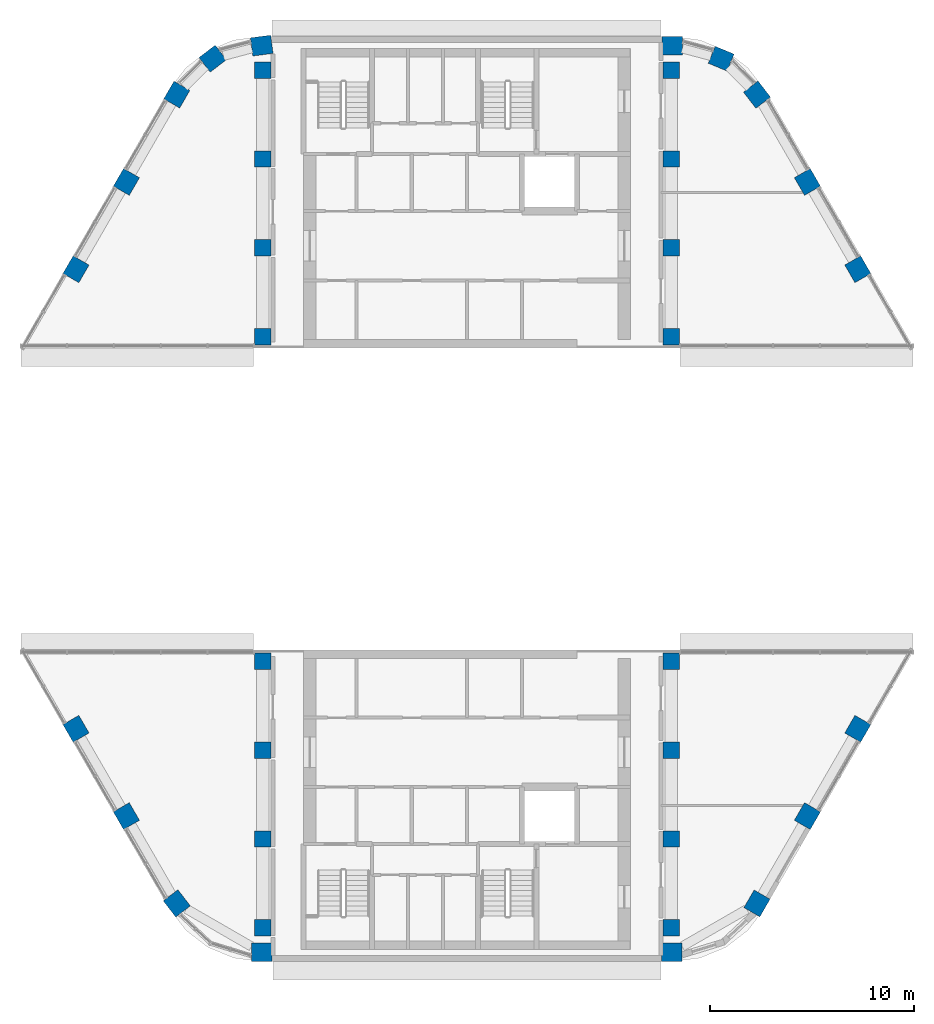
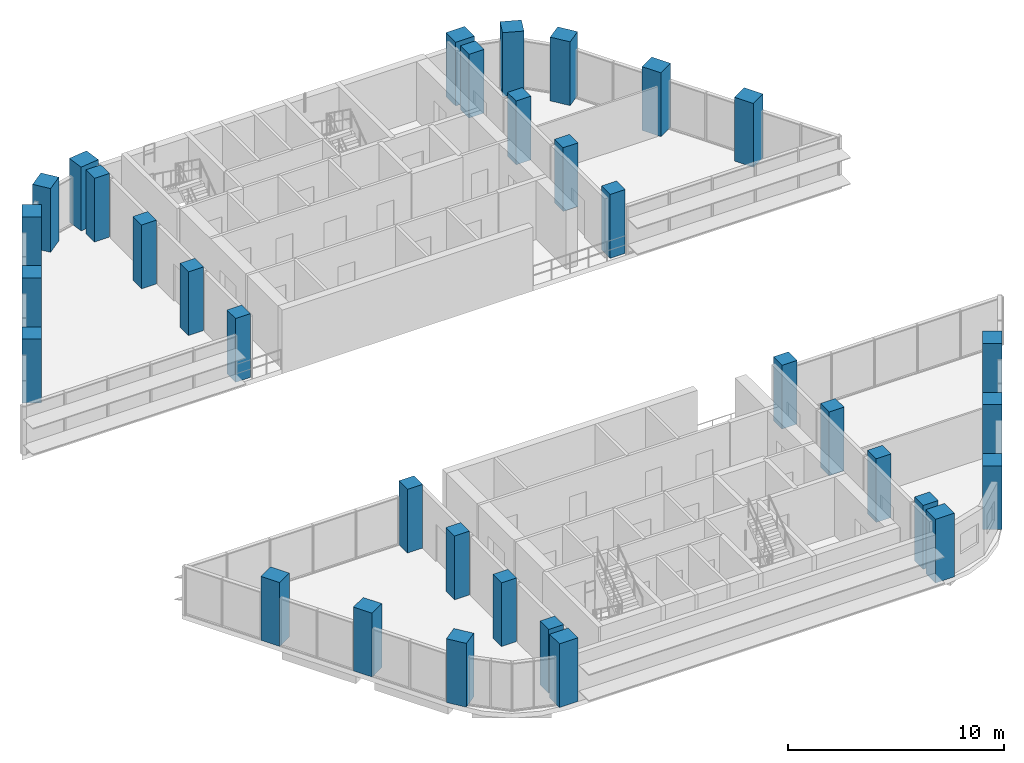
# One storey, part 1 of 14: 34 columns.
"""IFC4 building model written with IfcOpenShell, lengths in metres."""

from ifc_helpers import new_model, si_unit, direction, frame, origin, origin_2d, place, context, subcontext, project, spatial, rectangle, extrude, material, material_profile, profile_set, type_object, element, save


model = new_model("IFC4")

# Units and contexts
model_context = context("Model", 3, precision=1e-05, world=origin(), true_north=direction((0.0, 1.0)))
body_context = subcontext(model_context, "Body", "Model", "MODEL_VIEW")
ifc_project = project(units=[si_unit("LENGTHUNIT", "METRE"), si_unit("AREAUNIT", "SQUARE_METRE"), si_unit("VOLUMEUNIT", "CUBIC_METRE"), si_unit("PLANEANGLEUNIT", "RADIAN"), si_unit("MASSUNIT", "GRAM", prefix="KILO")], contexts=[model_context])

# Site, building, storey
site_placement = place(None, origin())
site = spatial("IfcSite", under=ifc_project, at=site_placement, CompositionType="ELEMENT")
building_placement = place(site_placement, origin())
building = spatial("IfcBuilding", under=site, at=building_placement, Name="Nakaniwa Court", CompositionType="ELEMENT")
storey_placement = place(building_placement, frame((0.0, 0.0, 279.60009765625)))
storey = spatial("IfcBuildingStorey", under=building, at=storey_placement, Name="C03", CompositionType="ELEMENT", Elevation=279.60009765625)

# Columns
ifc_material = material(Name="Concrete C80/100", Category="concrete")
ifc_material_profile_1 = material_profile(ifc_material, rectangle(XDim=1.0, YDim=0.89990234375, at=origin_2d()), Name="Concrete C80/100 RC 1000x900 perimeter column")
ifc_profile_set_1 = profile_set([ifc_material_profile_1], Name="Concrete C80/100")
column_type_1 = type_object("IfcColumnType", Name="Concrete C80/100 RC 1000x900 perimeter column", PredefinedType="COLUMN", material=ifc_profile_set_1)
for number, where, z_axis, x_axis, name in (
    (1, (69.95458984375, 102.199951171875, 0.0), (0.0, 0.0, 1.0), (-0.991442583111, -0.130543496177, 0.0), "COLUMN CO-01"),
    (2, (67.552001953125, 101.560302734375, 0.0), (0.0, 0.0, 1.0), (-0.793363965062, -0.608747582288, 0.0), "COLUMN CO-02"),
    (3, (65.796875, 99.799560546875, 0.0), (0.0, 0.0, 1.0), (-0.5, -0.866025403784, 0.0), "COLUMN CO-03"),
    (4, (63.328857421875, 95.524658203125, 0.0), (0.0, 0.0, 1.0), (-0.5, -0.866025403784, 0.0), "COLUMN CO-04"),
    (5, (60.860595703125, 91.249755859375, 0.0), (0.0, 0.0, 1.0), (-0.5, -0.866025403784, 0.0), "COLUMN CO-05"),
    (6, (60.860595703125, 68.750244140625, 0.0), (0.0, 0.0, 1.0), (0.5, -0.866025403784, 0.0), "COLUMN CO-14"),
    (7, (63.328857421875, 64.475341796875, 0.0), (0.0, 0.0, 1.0), (0.5, -0.866025403784, 0.0), "COLUMN CO-15"),
    (8, (65.796875, 60.200439453125, 0.0), (0.0, 0.0, 1.0), (0.608761429009, -0.793353340291, 0.0), "COLUMN CO-16"),
    (9, (69.95458984375, 57.800048828125, 0.0), (0.0, 0.0, 1.0), (1.0, 0.0, 0.0), "COLUMN CO-17"),
    (10, (90.03955078125, 57.800048828125, 0.0), (0.0, 0.0, 1.0), (1.0, 0.0, 0.0), "COLUMN CO-21"),
    (11, (94.203125, 60.200439453125, 0.0), (0.0, 0.0, 1.0), (0.5, 0.866025403784, 0.0), "COLUMN CO-22"),
    (12, (96.671142578125, 64.475341796875, 0.0), (0.0, 0.0, 1.0), (0.5, 0.866025403784, 0.0), "COLUMN CO-23"),
    (13, (99.139404296875, 68.750244140625, 0.0), (0.0, 0.0, 1.0), (0.5, 0.866025403784, 0.0), "COLUMN CO-24"),
    (14, (99.139404296875, 91.249755859375, 0.0), (0.0, 0.0, 1.0), (-0.5, 0.866025403784, 0.0), "COLUMN CO-33"),
    (15, (96.671142578125, 95.524658203125, 0.0), (0.0, 0.0, 1.0), (-0.5, 0.866025403784, 0.0), "COLUMN CO-34"),
    (16, (94.203125, 99.799560546875, 0.0), (0.0, 0.0, 1.0), (-0.608761429009, 0.793353340291, 0.0), "COLUMN CO-35"),
    (17, (92.447998046875, 101.560302734375, 0.0), (0.0, 0.0, 1.0), (-0.923879532511, 0.382683432365, 0.0), "COLUMN CO-36"),
    (18, (90.04541015625, 102.199951171875, 0.0), (0.0, 0.0, 1.0), (-1.0, 0.0, 0.0), "COLUMN CO-37"),
):
    element("IfcColumn", number, at=place(storey_placement, frame(where, z_axis=z_axis, x_axis=x_axis)), inside=storey, type_object=column_type_1, Name=name, PredefinedType="COLUMN", context=body_context, shape_type="SweptSolid", body=[
        extrude(rectangle(XDim=1.0, YDim=0.89990234375, at=origin_2d()), origin(), (0.0, 0.0, 1.0), 3.599853515625),
    ])
ifc_material_profile_2 = material_profile(ifc_material, rectangle(XDim=0.800048828125, YDim=0.800048828125, at=origin_2d()), Name="Concrete C80/100 RC 800x800 spine column")
ifc_profile_set_2 = profile_set([ifc_material_profile_2], Name="Concrete C80/100")
column_type_2 = type_object("IfcColumnType", Name="Concrete C80/100 RC 800x800 spine column", PredefinedType="COLUMN", material=ifc_profile_set_2)
for number, where, z_axis, x_axis, name in (
    (19, (90.0, 59.0, 0.0), (0.0, 0.0, 1.0), (0.0, 1.0, 0.0), "COLUMN CS-01"),
    (20, (90.0, 63.35009765625, 0.0), (0.0, 0.0, 1.0), (0.0, 1.0, 0.0), "COLUMN CS-02"),
    (21, (90.0, 67.699951171875, 0.0), (0.0, 0.0, 1.0), (0.0, 1.0, 0.0), "COLUMN CS-03"),
    (22, (90.0, 72.050048828125, 0.0), (0.0, 0.0, 1.0), (0.0, 1.0, 0.0), "COLUMN CS-04"),
    (23, (90.0, 87.949951171875, 0.0), (0.0, 0.0, 1.0), (0.0, 1.0, 0.0), "COLUMN CS-07"),
    (24, (90.0, 92.300048828125, 0.0), (0.0, 0.0, 1.0), (0.0, 1.0, 0.0), "COLUMN CS-08"),
    (25, (90.0, 96.64990234375, 0.0), (0.0, 0.0, 1.0), (0.0, 1.0, 0.0), "COLUMN CS-09"),
    (26, (90.0, 101.0, 0.0), (0.0, 0.0, 1.0), (0.0, 1.0, 0.0), "COLUMN CS-10"),
    (27, (70.0, 101.0, 0.0), (0.0, 0.0, 1.0), (0.0, -1.0, 0.0), "COLUMN CS-11"),
    (28, (70.0, 96.64990234375, 0.0), (0.0, 0.0, 1.0), (0.0, -1.0, 0.0), "COLUMN CS-12"),
    (29, (70.0, 92.300048828125, 0.0), (0.0, 0.0, 1.0), (0.0, -1.0, 0.0), "COLUMN CS-13"),
    (30, (70.0, 87.949951171875, 0.0), (0.0, 0.0, 1.0), (0.0, -1.0, 0.0), "COLUMN CS-14"),
    (31, (70.0, 72.050048828125, 0.0), (0.0, 0.0, 1.0), (0.0, -1.0, 0.0), "COLUMN CS-17"),
    (32, (70.0, 67.699951171875, 0.0), (0.0, 0.0, 1.0), (0.0, -1.0, 0.0), "COLUMN CS-18"),
    (33, (70.0, 63.35009765625, 0.0), (0.0, 0.0, 1.0), (0.0, -1.0, 0.0), "COLUMN CS-19"),
    (34, (70.0, 59.0, 0.0), (0.0, 0.0, 1.0), (0.0, -1.0, 0.0), "COLUMN CS-20"),
):
    element("IfcColumn", number, at=place(storey_placement, frame(where, z_axis=z_axis, x_axis=x_axis)), inside=storey, type_object=column_type_2, Name=name, PredefinedType="COLUMN", context=body_context, shape_type="SweptSolid", body=[
        extrude(rectangle(XDim=0.800048828125, YDim=0.800048828125, at=origin_2d()), origin(), (0.0, 0.0, 1.0), 3.599853515625),
    ])

save(model, "model.ifc")
